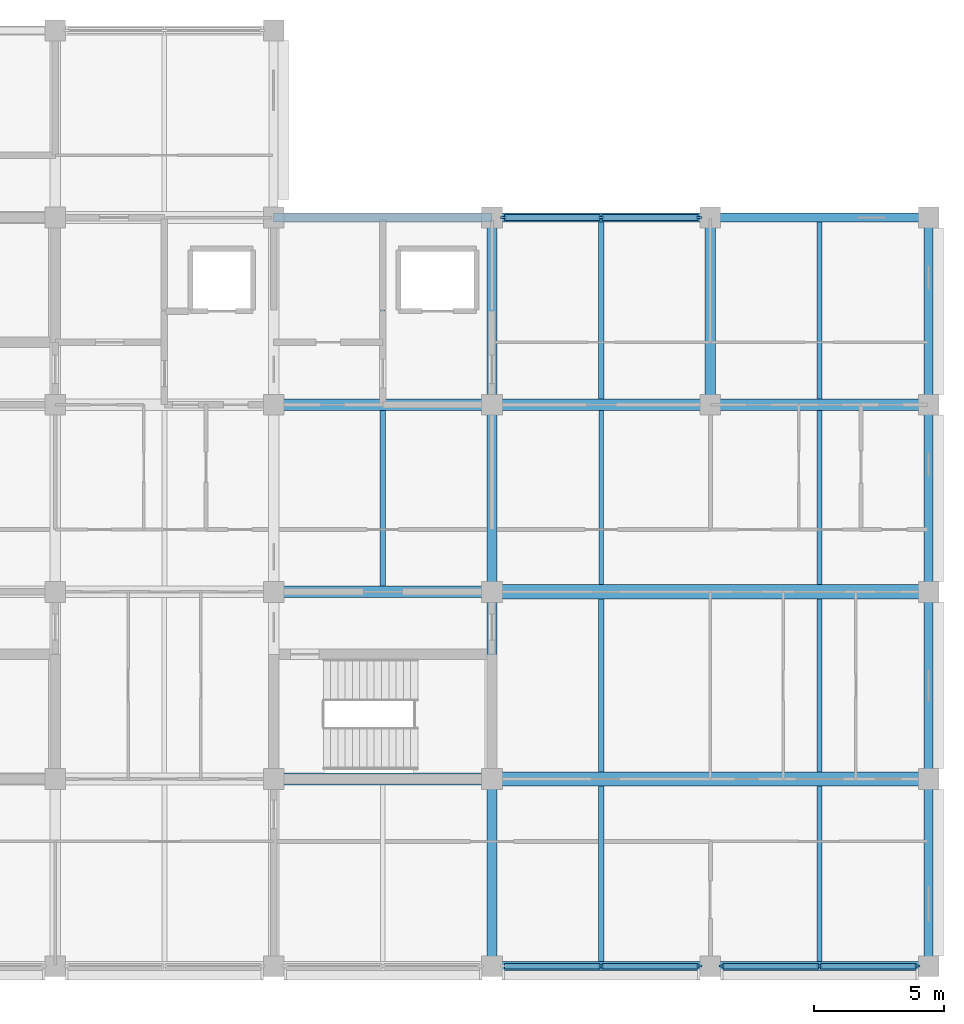
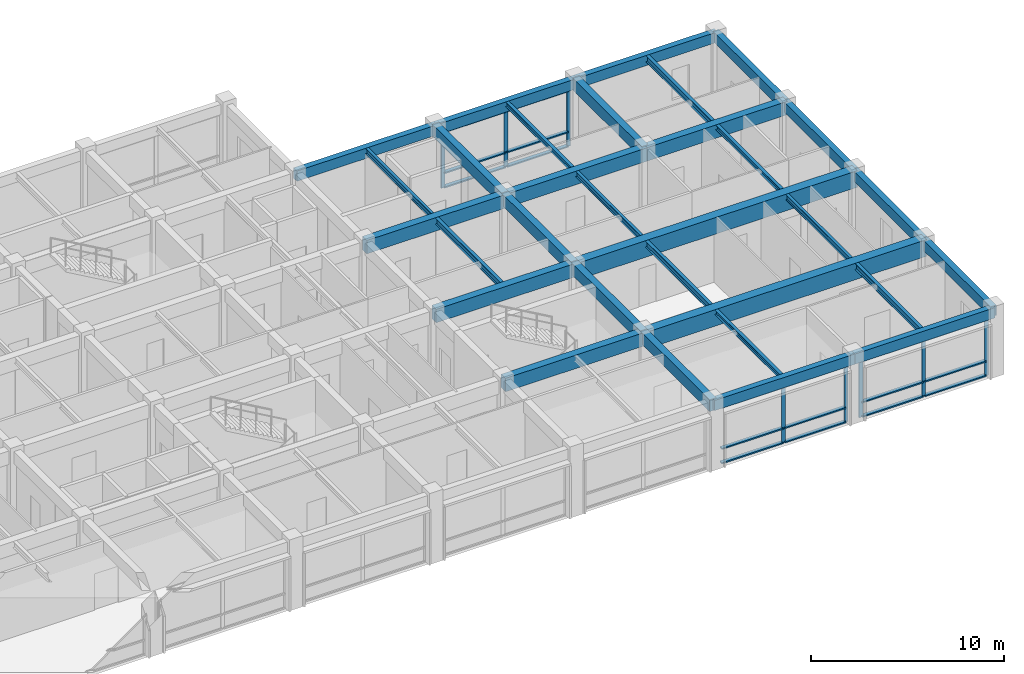
# One storey, part 8 of 30: 31 beams, 26 members, 3 elements without a shape of their own.
"""IFC4 building model written with IfcOpenShell, lengths in metres."""

from ifc_helpers import new_model, si_unit, direction, frame, origin, origin_2d, place, context, subcontext, project, spatial, rectangle, i_section, extrude, material, layer, layer_set, material_profile, profile_set, type_object, element, aggregate, save


model = new_model("IFC4")

# Units and contexts
model_context = context("Model", 3, precision=1e-05, world=origin(), true_north=direction((0.0, 1.0)))
body_context = subcontext(model_context, "Body", "Model", "MODEL_VIEW")
ifc_project = project(units=[si_unit("LENGTHUNIT", "METRE"), si_unit("AREAUNIT", "SQUARE_METRE"), si_unit("VOLUMEUNIT", "CUBIC_METRE"), si_unit("PLANEANGLEUNIT", "RADIAN"), si_unit("MASSUNIT", "GRAM", prefix="KILO")], contexts=[model_context])

# Site, building, storey
site_placement = place(None, origin())
site = spatial("IfcSite", under=ifc_project, at=site_placement, CompositionType="ELEMENT")
building_placement = place(site_placement, origin())
building = spatial("IfcBuilding", under=site, at=building_placement, Name="Chengyuan Square Courthouse", CompositionType="ELEMENT")
storey_placement = place(building_placement, frame((0.0, 0.0, 26.10009765625)))
storey = spatial("IfcBuildingStorey", under=building, at=storey_placement, Name="L06", CompositionType="ELEMENT", Elevation=26.10009765625)

# Beams
ifc_material_1 = material(Name="Concrete C40", Category="concrete")
ifc_material_profile_1 = material_profile(ifc_material_1, rectangle(XDim=0.449951171875, YDim=0.85009765625, at=origin_2d()), Name="RC-BM-450x850")
ifc_profile_set_1 = profile_set([ifc_material_profile_1], Name="Concrete C40")
beam_type_1 = type_object("IfcBeamType", Name="BM-01", PredefinedType="USERDEFINED", material=ifc_profile_set_1)
for number, where, z_axis, x_axis, name in (
    (1, (117.60009765625, 86.39990234375, 3.81494140625), (1.0, 0.0, 0.0), (0.0, 1.0, 0.0), "Girder BM-L06-3410"),
    (2, (117.60009765625, 93.60009765625, 3.81494140625), (1.0, 0.0, 0.0), (0.0, 1.0, 0.0), "Girder BM-L06-3422"),
    (3, (117.60009765625, 100.800048828125, 3.81494140625), (1.0, 0.0, 0.0), (0.0, 1.0, 0.0), "Girder BM-L06-3435"),
    (4, (126.0, 100.800048828125, 3.81494140625), (1.0, 0.0, 0.0), (0.0, 1.0, 0.0), "Girder BM-L06-3436"),
):
    element("IfcBeam", number, at=place(storey_placement, frame(where, z_axis=z_axis, x_axis=x_axis)), inside=storey, type_object=beam_type_1, Name=name, ObjectType="GIRDER", PredefinedType="USERDEFINED", context=body_context, shape_type="SweptSolid", body=[
        extrude(rectangle(XDim=0.449951171875, YDim=0.85009765625, at=origin_2d()), origin(), (0.0, 0.0, 1.0), 8.39990234375),
    ])
beam_1_placement = place(storey_placement, frame((134.39990234375, 100.800048828125, 3.81494140625), z_axis=(1.0, 0.0, 0.0), x_axis=(0.0, 1.0, 0.0)))
element("IfcBeam", 5, at=beam_1_placement, inside=storey, type_object=beam_type_1, Name="Girder BM-L06-3437", ObjectType="GIRDER", PredefinedType="USERDEFINED", context=body_context, shape_type="SweptSolid", body=[
    extrude(rectangle(XDim=0.449951171875, YDim=0.85009765625, at=origin_2d()), origin(), (0.0, 0.0, 1.0), 8.400146484375),
])
ifc_material_profile_2 = material_profile(ifc_material_1, rectangle(XDim=0.39990234375, YDim=0.75, at=origin_2d()), Name="RC-BM-400x750")
ifc_profile_set_2 = profile_set([ifc_material_profile_2], Name="Concrete C40")
beam_type_2 = type_object("IfcBeamType", Name="BM-02", PredefinedType="USERDEFINED", material=ifc_profile_set_2)
beam_2_placement = place(storey_placement, frame((126.0, 79.199951171875, 3.864990234375), z_axis=(0.0, 1.0, 0.0), x_axis=(-1.0, 0.0, 0.0)))
element("IfcBeam", 6, at=beam_2_placement, inside=storey, type_object=beam_type_2, Name="Girder BM-L06-3514", ObjectType="GIRDER", PredefinedType="USERDEFINED", context=body_context, shape_type="SweptSolid", body=[
    extrude(rectangle(XDim=0.39990234375, YDim=0.75, at=origin_2d()), origin(), (0.0, 0.0, 1.0), 7.199951171875),
])
beam_3_placement = place(storey_placement, frame((126.0, 86.39990234375, 3.864990234375), z_axis=(0.0, 1.0, 0.0), x_axis=(-1.0, 0.0, 0.0)))
element("IfcBeam", 7, at=beam_3_placement, inside=storey, type_object=beam_type_2, Name="Girder BM-L06-3515", ObjectType="GIRDER", PredefinedType="USERDEFINED", context=body_context, shape_type="SweptSolid", body=[
    extrude(rectangle(XDim=0.39990234375, YDim=0.75, at=origin_2d()), origin(), (0.0, 0.0, 1.0), 7.2001953125),
])
for number, where, z_axis, x_axis, name in (
    (8, (126.0, 93.60009765625, 3.864990234375), (0.0, 1.0, 0.0), (-1.0, 0.0, 0.0), "Girder BM-L06-3516"),
    (9, (126.0, 100.800048828125, 3.864990234375), (0.0, 1.0, 0.0), (-1.0, 0.0, 0.0), "Girder BM-L06-3517"),
    (10, (134.39990234375, 100.800048828125, 3.864990234375), (0.0, 1.0, 0.0), (-1.0, 0.0, 0.0), "Girder BM-L06-3518"),
):
    element("IfcBeam", number, at=place(storey_placement, frame(where, z_axis=z_axis, x_axis=x_axis)), inside=storey, type_object=beam_type_2, Name=name, ObjectType="GIRDER", PredefinedType="USERDEFINED", context=body_context, shape_type="SweptSolid", body=[
        extrude(rectangle(XDim=0.39990234375, YDim=0.75, at=origin_2d()), origin(), (0.0, 0.0, 1.0), 7.199951171875),
    ])
ifc_material_profile_3 = material_profile(ifc_material_1, rectangle(XDim=0.35009765625, YDim=0.64990234375, at=origin_2d()), Name="RC-BM-350x650")
ifc_profile_set_3 = profile_set([ifc_material_profile_3], Name="Concrete C40")
beam_type_3 = type_object("IfcBeamType", Name="BM-03", PredefinedType="SPANDREL", material=ifc_profile_set_3)
beam_4_placement = place(storey_placement, frame((126.0, 79.199951171875, 3.914794921875), z_axis=(1.0, 0.0, 0.0), x_axis=(0.0, 1.0, 0.0)))
element("IfcBeam", 11, at=beam_4_placement, inside=storey, type_object=beam_type_3, Name="Girder BM-L06-3398", PredefinedType="SPANDREL", context=body_context, shape_type="SweptSolid", body=[
    extrude(rectangle(XDim=0.35009765625, YDim=0.64990234375, at=origin_2d()), origin(), (0.0, 0.0, 1.0), 8.39990234375),
])
beam_5_placement = place(storey_placement, frame((134.39990234375, 79.199951171875, 3.914794921875), z_axis=(1.0, 0.0, 0.0), x_axis=(0.0, 1.0, 0.0)))
element("IfcBeam", 12, at=beam_5_placement, inside=storey, type_object=beam_type_3, Name="Girder BM-L06-3399", PredefinedType="SPANDREL", context=body_context, shape_type="SweptSolid", body=[
    extrude(rectangle(XDim=0.35009765625, YDim=0.64990234375, at=origin_2d()), origin(), (0.0, 0.0, 1.0), 8.400146484375),
])
for number, where, z_axis, x_axis, name in (
    (13, (117.60009765625, 108.0, 3.914794921875), (1.0, 0.0, 0.0), (0.0, 1.0, 0.0), "Girder BM-L06-3449"),
    (14, (126.0, 108.0, 3.914794921875), (1.0, 0.0, 0.0), (0.0, 1.0, 0.0), "Girder BM-L06-3450"),
):
    element("IfcBeam", number, at=place(storey_placement, frame(where, z_axis=z_axis, x_axis=x_axis)), inside=storey, type_object=beam_type_3, Name=name, PredefinedType="SPANDREL", context=body_context, shape_type="SweptSolid", body=[
        extrude(rectangle(XDim=0.35009765625, YDim=0.64990234375, at=origin_2d()), origin(), (0.0, 0.0, 1.0), 8.39990234375),
    ])
beam_6_placement = place(storey_placement, frame((134.39990234375, 108.0, 3.914794921875), z_axis=(1.0, 0.0, 0.0), x_axis=(0.0, 1.0, 0.0)))
element("IfcBeam", 15, at=beam_6_placement, inside=storey, type_object=beam_type_3, Name="Girder BM-L06-3451", PredefinedType="SPANDREL", context=body_context, shape_type="SweptSolid", body=[
    extrude(rectangle(XDim=0.35009765625, YDim=0.64990234375, at=origin_2d()), origin(), (0.0, 0.0, 1.0), 8.400146484375),
])
beam_7_placement = place(storey_placement, frame((142.800048828125, 79.199951171875, 3.914794921875), z_axis=(0.0, 1.0, 0.0), x_axis=(-1.0, 0.0, 0.0)))
element("IfcBeam", 16, at=beam_7_placement, inside=storey, type_object=beam_type_3, Name="Girder BM-L06-3519", PredefinedType="SPANDREL", context=body_context, shape_type="SweptSolid", body=[
    extrude(rectangle(XDim=0.35009765625, YDim=0.64990234375, at=origin_2d()), origin(), (0.0, 0.0, 1.0), 7.199951171875),
])
beam_8_placement = place(storey_placement, frame((142.800048828125, 86.39990234375, 3.914794921875), z_axis=(0.0, 1.0, 0.0), x_axis=(-1.0, 0.0, 0.0)))
element("IfcBeam", 17, at=beam_8_placement, inside=storey, type_object=beam_type_3, Name="Girder BM-L06-3520", PredefinedType="SPANDREL", context=body_context, shape_type="SweptSolid", body=[
    extrude(rectangle(XDim=0.35009765625, YDim=0.64990234375, at=origin_2d()), origin(), (0.0, 0.0, 1.0), 7.2001953125),
])
for number, where, z_axis, x_axis, name in (
    (18, (142.800048828125, 93.60009765625, 3.914794921875), (0.0, 1.0, 0.0), (-1.0, 0.0, 0.0), "Girder BM-L06-3521"),
    (19, (142.800048828125, 100.800048828125, 3.914794921875), (0.0, 1.0, 0.0), (-1.0, 0.0, 0.0), "Girder BM-L06-3522"),
):
    element("IfcBeam", number, at=place(storey_placement, frame(where, z_axis=z_axis, x_axis=x_axis)), inside=storey, type_object=beam_type_3, Name=name, PredefinedType="SPANDREL", context=body_context, shape_type="SweptSolid", body=[
        extrude(rectangle(XDim=0.35009765625, YDim=0.64990234375, at=origin_2d()), origin(), (0.0, 0.0, 1.0), 7.199951171875),
    ])
ifc_material_2 = material(Name="Steel Q355B", Category="steel")
ifc_material_profile_4 = material_profile(ifc_material_2, i_section(OverallWidth=0.199951171875, OverallDepth=0.39990234375, WebThickness=0.008056640625, FlangeThickness=0.012939453125, at=origin_2d()), Name="HN 400x200x8x13")
ifc_profile_set_4 = profile_set([ifc_material_profile_4], Name="Steel Q355B")
beam_type_4 = type_object("IfcBeamType", Name="BM-07", PredefinedType="BEAM", material=ifc_profile_set_4)
beam_9_placement = place(storey_placement, frame((121.800048828125, 93.824951171875, 4.039794921875), z_axis=(0.0, 1.0, 0.0), x_axis=(-1.0, 0.0, 0.0)))
element("IfcBeam", 20, at=beam_9_placement, inside=storey, type_object=beam_type_4, Name="Secondary Floor Beam SBM-L06-3567", PredefinedType="BEAM", context=body_context, shape_type="SweptSolid", body=[
    extrude(i_section(OverallWidth=0.199951171875, OverallDepth=0.39990234375, WebThickness=0.008056640625, FlangeThickness=0.012939453125, at=origin_2d()), origin(), (0.0, 0.0, 1.0), 6.75),
])
beam_10_placement = place(storey_placement, frame((130.199951171875, 86.675048828125, 4.039794921875), z_axis=(0.0, 1.0, 0.0), x_axis=(-1.0, 0.0, 0.0)))
element("IfcBeam", 21, at=beam_10_placement, inside=storey, type_object=beam_type_4, Name="Secondary Floor Beam SBM-L06-3570", PredefinedType="BEAM", context=body_context, shape_type="SweptSolid", body=[
    extrude(i_section(OverallWidth=0.199951171875, OverallDepth=0.39990234375, WebThickness=0.008056640625, FlangeThickness=0.012939453125, at=origin_2d()), origin(), (0.0, 0.0, 1.0), 6.64990234375),
])
beam_11_placement = place(storey_placement, frame((138.60009765625, 79.375, 4.039794921875), z_axis=(0.0, 1.0, 0.0), x_axis=(-1.0, 0.0, 0.0)))
element("IfcBeam", 22, at=beam_11_placement, inside=storey, type_object=beam_type_4, Name="Secondary Floor Beam SBM-L06-3573", PredefinedType="BEAM", context=body_context, shape_type="SweptSolid", body=[
    extrude(i_section(OverallWidth=0.199951171875, OverallDepth=0.39990234375, WebThickness=0.008056640625, FlangeThickness=0.012939453125, at=origin_2d()), origin(), (0.0, 0.0, 1.0), 6.75),
])
beam_12_placement = place(storey_placement, frame((138.60009765625, 101.02490234375, 4.039794921875), z_axis=(0.0, 1.0, 0.0), x_axis=(-1.0, 0.0, 0.0)))
element("IfcBeam", 23, at=beam_12_placement, inside=storey, type_object=beam_type_4, Name="Secondary Floor Beam SBM-L06-3576", PredefinedType="BEAM", context=body_context, shape_type="SweptSolid", body=[
    extrude(i_section(OverallWidth=0.199951171875, OverallDepth=0.39990234375, WebThickness=0.008056640625, FlangeThickness=0.012939453125, at=origin_2d()), origin(), (0.0, 0.0, 1.0), 6.800048828125),
])
ifc_material_profile_5 = material_profile(ifc_material_2, i_section(OverallWidth=0.175048828125, OverallDepth=0.35009765625, WebThickness=0.007080078125, FlangeThickness=0.010986328125, at=origin_2d()), Name="HN 350x175x7x11")
ifc_profile_set_5 = profile_set([ifc_material_profile_5], Name="Steel Q355B")
beam_type_5 = type_object("IfcBeamType", Name="BM-08", PredefinedType="BEAM", material=ifc_profile_set_5)
beam_13_placement = place(storey_placement, frame((121.800048828125, 101.02490234375, 4.06494140625), z_axis=(0.0, 1.0, 0.0), x_axis=(-1.0, 0.0, 0.0)))
element("IfcBeam", 24, at=beam_13_placement, inside=storey, type_object=beam_type_5, Name="Secondary Floor Beam SBM-L06-3568", PredefinedType="BEAM", context=body_context, shape_type="SweptSolid", body=[
    extrude(i_section(OverallWidth=0.175048828125, OverallDepth=0.35009765625, WebThickness=0.007080078125, FlangeThickness=0.010986328125, at=origin_2d()), origin(), (0.0, 0.0, 1.0), 6.800048828125),
])
beam_14_placement = place(storey_placement, frame((130.199951171875, 93.875, 4.06494140625), z_axis=(0.0, 1.0, 0.0), x_axis=(-1.0, 0.0, 0.0)))
element("IfcBeam", 25, at=beam_14_placement, inside=storey, type_object=beam_type_5, Name="Secondary Floor Beam SBM-L06-3571", PredefinedType="BEAM", context=body_context, shape_type="SweptSolid", body=[
    extrude(i_section(OverallWidth=0.175048828125, OverallDepth=0.35009765625, WebThickness=0.007080078125, FlangeThickness=0.010986328125, at=origin_2d()), origin(), (0.0, 0.0, 1.0), 6.699951171875),
])
beam_15_placement = place(storey_placement, frame((138.60009765625, 86.675048828125, 4.06494140625), z_axis=(0.0, 1.0, 0.0), x_axis=(-1.0, 0.0, 0.0)))
element("IfcBeam", 26, at=beam_15_placement, inside=storey, type_object=beam_type_5, Name="Secondary Floor Beam SBM-L06-3574", PredefinedType="BEAM", context=body_context, shape_type="SweptSolid", body=[
    extrude(i_section(OverallWidth=0.175048828125, OverallDepth=0.35009765625, WebThickness=0.007080078125, FlangeThickness=0.010986328125, at=origin_2d()), origin(), (0.0, 0.0, 1.0), 6.64990234375),
])
ifc_material_profile_6 = material_profile(ifc_material_2, i_section(OverallWidth=0.199951171875, OverallDepth=0.300048828125, WebThickness=0.008056640625, FlangeThickness=0.011962890625, at=origin_2d()), Name="HM 300x200x8x12")
ifc_profile_set_6 = profile_set([ifc_material_profile_6], Name="Steel Q355B")
beam_type_6 = type_object("IfcBeamType", Name="BM-09", PredefinedType="BEAM", material=ifc_profile_set_6)
beam_16_placement = place(storey_placement, frame((130.199951171875, 79.375, 4.08984375), z_axis=(0.0, 1.0, 0.0), x_axis=(-1.0, 0.0, 0.0)))
element("IfcBeam", 27, at=beam_16_placement, inside=storey, type_object=beam_type_6, Name="Secondary Floor Beam SBM-L06-3569", PredefinedType="BEAM", context=body_context, shape_type="SweptSolid", body=[
    extrude(i_section(OverallWidth=0.199951171875, OverallDepth=0.300048828125, WebThickness=0.008056640625, FlangeThickness=0.011962890625, at=origin_2d()), origin(), (0.0, 0.0, 1.0), 6.75),
])
beam_17_placement = place(storey_placement, frame((130.199951171875, 101.02490234375, 4.08984375), z_axis=(0.0, 1.0, 0.0), x_axis=(-1.0, 0.0, 0.0)))
element("IfcBeam", 28, at=beam_17_placement, inside=storey, type_object=beam_type_6, Name="Secondary Floor Beam SBM-L06-3572", PredefinedType="BEAM", context=body_context, shape_type="SweptSolid", body=[
    extrude(i_section(OverallWidth=0.199951171875, OverallDepth=0.300048828125, WebThickness=0.008056640625, FlangeThickness=0.011962890625, at=origin_2d()), origin(), (0.0, 0.0, 1.0), 6.800048828125),
])
beam_18_placement = place(storey_placement, frame((138.60009765625, 93.875, 4.08984375), z_axis=(0.0, 1.0, 0.0), x_axis=(-1.0, 0.0, 0.0)))
element("IfcBeam", 29, at=beam_18_placement, inside=storey, type_object=beam_type_6, Name="Secondary Floor Beam SBM-L06-3575", PredefinedType="BEAM", context=body_context, shape_type="SweptSolid", body=[
    extrude(i_section(OverallWidth=0.199951171875, OverallDepth=0.300048828125, WebThickness=0.008056640625, FlangeThickness=0.011962890625, at=origin_2d()), origin(), (0.0, 0.0, 1.0), 6.699951171875),
])

# Curtain wall, members
ifc_material_3 = material(Name="Unitised Aluminium and Triple Low-E Glass", Category="aluminium")
ifc_layer = layer(ifc_material_3, 0.219970703125)
ifc_layer_set = layer_set([ifc_layer], Name="Unitised Aluminium and Triple Low-E Glass")
curtain_wall_type = type_object("IfcCurtainWallType", Name="CW-16", PredefinedType="USERDEFINED", material=ifc_layer_set)
curtain_wall_1_placement = place(storey_placement, origin())
curtain_wall_1 = element("IfcCurtainWall", 30, at=curtain_wall_1_placement, inside=storey, type_object=curtain_wall_type, Name="Unitised Curtain Wall CW-L06-198", ObjectType="UNITISED CURTAIN WALL", PredefinedType="USERDEFINED")
ifc_material_4 = material(Name="Aluminium 6063-T6 Frame", Category="aluminium")
ifc_material_profile_7 = material_profile(ifc_material_4, rectangle(XDim=0.080078125, YDim=0.219970703125, at=origin_2d()), Name="CW-MUL-80x220")
ifc_profile_set_7 = profile_set([ifc_material_profile_7], Name="Aluminium 6063-T6 Frame")
member_type_1 = type_object("IfcMemberType", Name="CWM-04", PredefinedType="MULLION", material=ifc_profile_set_7)
member_1_placement = place(storey_placement, frame((130.199951171875, 79.199951171875, 0.0), z_axis=(0.0, 0.0, 1.0), x_axis=(0.0, 1.0, 0.0)))
member_1 = element("IfcMember", 31, at=member_1_placement, type_object=member_type_1, Name="CW-16 mullion 2", PredefinedType="MULLION", context=body_context, shape_type="SweptSolid", body=[
    extrude(rectangle(XDim=0.080078125, YDim=0.219970703125, at=origin_2d()), origin(), (0.0, 0.0, 1.0), 3.58984375),
])
member_2_placement = place(storey_placement, frame((133.9599609375, 79.199951171875, 0.0), z_axis=(0.0, 0.0, 1.0), x_axis=(0.0, 1.0, 0.0)))
member_2 = element("IfcMember", 32, at=member_2_placement, type_object=member_type_1, Name="CW-16 mullion 3", PredefinedType="MULLION", context=body_context, shape_type="SweptSolid", body=[
    extrude(rectangle(XDim=0.080078125, YDim=0.219970703125, at=origin_2d()), origin(), (0.0, 0.0, 1.0), 3.58984375),
])

curtain_wall_2_placement = place(storey_placement, origin())
curtain_wall_2 = element("IfcCurtainWall", 33, at=curtain_wall_2_placement, inside=storey, type_object=curtain_wall_type, Name="Unitised Curtain Wall CW-L06-199", ObjectType="UNITISED CURTAIN WALL", PredefinedType="USERDEFINED")
member_3_placement = place(storey_placement, frame((126.43994140625, 108.0, 0.0), z_axis=(0.0, 0.0, 1.0), x_axis=(0.0, 1.0, 0.0)))
member_3 = element("IfcMember", 34, at=member_3_placement, type_object=member_type_1, Name="CW-16 mullion 1", PredefinedType="MULLION", context=body_context, shape_type="SweptSolid", body=[
    extrude(rectangle(XDim=0.080078125, YDim=0.219970703125, at=origin_2d()), origin(), (0.0, 0.0, 1.0), 3.58984375),
])
member_4_placement = place(storey_placement, frame((130.199951171875, 108.0, 0.0), z_axis=(0.0, 0.0, 1.0), x_axis=(0.0, 1.0, 0.0)))
member_4 = element("IfcMember", 35, at=member_4_placement, type_object=member_type_1, Name="CW-16 mullion 2", PredefinedType="MULLION", context=body_context, shape_type="SweptSolid", body=[
    extrude(rectangle(XDim=0.080078125, YDim=0.219970703125, at=origin_2d()), origin(), (0.0, 0.0, 1.0), 3.58984375),
])
member_5_placement = place(storey_placement, frame((133.9599609375, 108.0, 0.0), z_axis=(0.0, 0.0, 1.0), x_axis=(0.0, 1.0, 0.0)))
member_5 = element("IfcMember", 36, at=member_5_placement, type_object=member_type_1, Name="CW-16 mullion 3", PredefinedType="MULLION", context=body_context, shape_type="SweptSolid", body=[
    extrude(rectangle(XDim=0.080078125, YDim=0.219970703125, at=origin_2d()), origin(), (0.0, 0.0, 1.0), 3.58984375),
])

curtain_wall_3_placement = place(storey_placement, origin())
curtain_wall_3 = element("IfcCurtainWall", 37, at=curtain_wall_3_placement, inside=storey, type_object=curtain_wall_type, Name="Unitised Curtain Wall CW-L06-200", ObjectType="UNITISED CURTAIN WALL", PredefinedType="USERDEFINED")
member_6_placement = place(storey_placement, frame((134.840087890625, 79.199951171875, 0.0), z_axis=(0.0, 0.0, 1.0), x_axis=(0.0, 1.0, 0.0)))
member_6 = element("IfcMember", 38, at=member_6_placement, type_object=member_type_1, Name="CW-16 mullion 1", PredefinedType="MULLION", context=body_context, shape_type="SweptSolid", body=[
    extrude(rectangle(XDim=0.080078125, YDim=0.219970703125, at=origin_2d()), origin(), (0.0, 0.0, 1.0), 3.58984375),
])
member_7_placement = place(storey_placement, frame((138.60009765625, 79.199951171875, 0.0), z_axis=(0.0, 0.0, 1.0), x_axis=(0.0, 1.0, 0.0)))
member_7 = element("IfcMember", 39, at=member_7_placement, type_object=member_type_1, Name="CW-16 mullion 2", PredefinedType="MULLION", context=body_context, shape_type="SweptSolid", body=[
    extrude(rectangle(XDim=0.080078125, YDim=0.219970703125, at=origin_2d()), origin(), (0.0, 0.0, 1.0), 3.58984375),
])
member_8_placement = place(storey_placement, frame((142.360107421875, 79.199951171875, 0.0), z_axis=(0.0, 0.0, 1.0), x_axis=(0.0, 1.0, 0.0)))
member_8 = element("IfcMember", 40, at=member_8_placement, type_object=member_type_1, Name="CW-16 mullion 3", PredefinedType="MULLION", context=body_context, shape_type="SweptSolid", body=[
    extrude(rectangle(XDim=0.080078125, YDim=0.219970703125, at=origin_2d()), origin(), (0.0, 0.0, 1.0), 3.58984375),
])

# Member
ifc_material_profile_8 = material_profile(ifc_material_4, rectangle(XDim=0.219970703125, YDim=0.080078125, at=origin_2d()), Name="CW-TRN-80x180")
ifc_profile_set_8 = profile_set([ifc_material_profile_8], Name="Aluminium 6063-T6 Frame")
member_type_2 = type_object("IfcMemberType", Name="CWT-04", PredefinedType="USERDEFINED", material=ifc_profile_set_8)
member_9_placement = place(storey_placement, frame((126.47998046875, 79.199951171875, 0.039794921875), z_axis=(1.0, 0.0, 0.0), x_axis=(0.0, 1.0, 0.0)))
member_9 = element("IfcMember", 41, at=member_9_placement, type_object=member_type_2, Name="CW-16 transom 1.1", ObjectType="TRANSOM", PredefinedType="USERDEFINED", context=body_context, shape_type="SweptSolid", body=[
    extrude(rectangle(XDim=0.219970703125, YDim=0.080078125, at=origin_2d()), origin(), (0.0, 0.0, 1.0), 3.679931640625),
])

member_10_placement = place(storey_placement, frame((126.47998046875, 79.199951171875, 0.949951171875), z_axis=(1.0, 0.0, 0.0), x_axis=(0.0, 1.0, 0.0)))
member_10 = element("IfcMember", 42, at=member_10_placement, type_object=member_type_2, Name="CW-16 transom 1.2", ObjectType="TRANSOM", PredefinedType="USERDEFINED", context=body_context, shape_type="SweptSolid", body=[
    extrude(rectangle(XDim=0.219970703125, YDim=0.080078125, at=origin_2d()), origin(), (0.0, 0.0, 1.0), 3.679931640625),
])

member_11_placement = place(storey_placement, frame((126.47998046875, 79.199951171875, 3.5498046875), z_axis=(1.0, 0.0, 0.0), x_axis=(0.0, 1.0, 0.0)))
member_11 = element("IfcMember", 43, at=member_11_placement, type_object=member_type_2, Name="CW-16 transom 1.3", ObjectType="TRANSOM", PredefinedType="USERDEFINED", context=body_context, shape_type="SweptSolid", body=[
    extrude(rectangle(XDim=0.219970703125, YDim=0.080078125, at=origin_2d()), origin(), (0.0, 0.0, 1.0), 3.679931640625),
])

member_12_placement = place(storey_placement, frame((130.239990234375, 79.199951171875, 0.039794921875), z_axis=(1.0, 0.0, 0.0), x_axis=(0.0, 1.0, 0.0)))
member_12 = element("IfcMember", 44, at=member_12_placement, type_object=member_type_2, Name="CW-16 transom 2.1", ObjectType="TRANSOM", PredefinedType="USERDEFINED", context=body_context, shape_type="SweptSolid", body=[
    extrude(rectangle(XDim=0.219970703125, YDim=0.080078125, at=origin_2d()), origin(), (0.0, 0.0, 1.0), 3.679931640625),
])

member_13_placement = place(storey_placement, frame((130.239990234375, 79.199951171875, 0.949951171875), z_axis=(1.0, 0.0, 0.0), x_axis=(0.0, 1.0, 0.0)))
member_13 = element("IfcMember", 45, at=member_13_placement, type_object=member_type_2, Name="CW-16 transom 2.2", ObjectType="TRANSOM", PredefinedType="USERDEFINED", context=body_context, shape_type="SweptSolid", body=[
    extrude(rectangle(XDim=0.219970703125, YDim=0.080078125, at=origin_2d()), origin(), (0.0, 0.0, 1.0), 3.679931640625),
])

member_14_placement = place(storey_placement, frame((130.239990234375, 79.199951171875, 3.5498046875), z_axis=(1.0, 0.0, 0.0), x_axis=(0.0, 1.0, 0.0)))
member_14 = element("IfcMember", 46, at=member_14_placement, type_object=member_type_2, Name="CW-16 transom 2.3", ObjectType="TRANSOM", PredefinedType="USERDEFINED", context=body_context, shape_type="SweptSolid", body=[
    extrude(rectangle(XDim=0.219970703125, YDim=0.080078125, at=origin_2d()), origin(), (0.0, 0.0, 1.0), 3.679931640625),
])

aggregate(curtain_wall_1, [member_1, member_2, member_9, member_10, member_11, member_12, member_13, member_14])

member_15_placement = place(storey_placement, frame((126.47998046875, 108.0, 0.039794921875), z_axis=(1.0, 0.0, 0.0), x_axis=(0.0, 1.0, 0.0)))
member_15 = element("IfcMember", 47, at=member_15_placement, type_object=member_type_2, Name="CW-16 transom 1.1", ObjectType="TRANSOM", PredefinedType="USERDEFINED", context=body_context, shape_type="SweptSolid", body=[
    extrude(rectangle(XDim=0.219970703125, YDim=0.080078125, at=origin_2d()), origin(), (0.0, 0.0, 1.0), 3.679931640625),
])

member_16_placement = place(storey_placement, frame((126.47998046875, 108.0, 0.949951171875), z_axis=(1.0, 0.0, 0.0), x_axis=(0.0, 1.0, 0.0)))
member_16 = element("IfcMember", 48, at=member_16_placement, type_object=member_type_2, Name="CW-16 transom 1.2", ObjectType="TRANSOM", PredefinedType="USERDEFINED", context=body_context, shape_type="SweptSolid", body=[
    extrude(rectangle(XDim=0.219970703125, YDim=0.080078125, at=origin_2d()), origin(), (0.0, 0.0, 1.0), 3.679931640625),
])

member_17_placement = place(storey_placement, frame((126.47998046875, 108.0, 3.5498046875), z_axis=(1.0, 0.0, 0.0), x_axis=(0.0, 1.0, 0.0)))
member_17 = element("IfcMember", 49, at=member_17_placement, type_object=member_type_2, Name="CW-16 transom 1.3", ObjectType="TRANSOM", PredefinedType="USERDEFINED", context=body_context, shape_type="SweptSolid", body=[
    extrude(rectangle(XDim=0.219970703125, YDim=0.080078125, at=origin_2d()), origin(), (0.0, 0.0, 1.0), 3.679931640625),
])

member_18_placement = place(storey_placement, frame((130.239990234375, 108.0, 0.039794921875), z_axis=(1.0, 0.0, 0.0), x_axis=(0.0, 1.0, 0.0)))
member_18 = element("IfcMember", 50, at=member_18_placement, type_object=member_type_2, Name="CW-16 transom 2.1", ObjectType="TRANSOM", PredefinedType="USERDEFINED", context=body_context, shape_type="SweptSolid", body=[
    extrude(rectangle(XDim=0.219970703125, YDim=0.080078125, at=origin_2d()), origin(), (0.0, 0.0, 1.0), 3.679931640625),
])

member_19_placement = place(storey_placement, frame((130.239990234375, 108.0, 0.949951171875), z_axis=(1.0, 0.0, 0.0), x_axis=(0.0, 1.0, 0.0)))
member_19 = element("IfcMember", 51, at=member_19_placement, type_object=member_type_2, Name="CW-16 transom 2.2", ObjectType="TRANSOM", PredefinedType="USERDEFINED", context=body_context, shape_type="SweptSolid", body=[
    extrude(rectangle(XDim=0.219970703125, YDim=0.080078125, at=origin_2d()), origin(), (0.0, 0.0, 1.0), 3.679931640625),
])

member_20_placement = place(storey_placement, frame((130.239990234375, 108.0, 3.5498046875), z_axis=(1.0, 0.0, 0.0), x_axis=(0.0, 1.0, 0.0)))
member_20 = element("IfcMember", 52, at=member_20_placement, type_object=member_type_2, Name="CW-16 transom 2.3", ObjectType="TRANSOM", PredefinedType="USERDEFINED", context=body_context, shape_type="SweptSolid", body=[
    extrude(rectangle(XDim=0.219970703125, YDim=0.080078125, at=origin_2d()), origin(), (0.0, 0.0, 1.0), 3.679931640625),
])

aggregate(curtain_wall_2, [member_3, member_4, member_5, member_15, member_16, member_17, member_18, member_19, member_20])

member_21_placement = place(storey_placement, frame((134.8798828125, 79.199951171875, 0.039794921875), z_axis=(1.0, 0.0, 0.0), x_axis=(0.0, 1.0, 0.0)))
member_21 = element("IfcMember", 53, at=member_21_placement, type_object=member_type_2, Name="CW-16 transom 1.1", ObjectType="TRANSOM", PredefinedType="USERDEFINED", context=body_context, shape_type="SweptSolid", body=[
    extrude(rectangle(XDim=0.219970703125, YDim=0.080078125, at=origin_2d()), origin(), (0.0, 0.0, 1.0), 3.68017578125),
])

member_22_placement = place(storey_placement, frame((134.8798828125, 79.199951171875, 0.949951171875), z_axis=(1.0, 0.0, 0.0), x_axis=(0.0, 1.0, 0.0)))
member_22 = element("IfcMember", 54, at=member_22_placement, type_object=member_type_2, Name="CW-16 transom 1.2", ObjectType="TRANSOM", PredefinedType="USERDEFINED", context=body_context, shape_type="SweptSolid", body=[
    extrude(rectangle(XDim=0.219970703125, YDim=0.080078125, at=origin_2d()), origin(), (0.0, 0.0, 1.0), 3.68017578125),
])

member_23_placement = place(storey_placement, frame((134.8798828125, 79.199951171875, 3.5498046875), z_axis=(1.0, 0.0, 0.0), x_axis=(0.0, 1.0, 0.0)))
member_23 = element("IfcMember", 55, at=member_23_placement, type_object=member_type_2, Name="CW-16 transom 1.3", ObjectType="TRANSOM", PredefinedType="USERDEFINED", context=body_context, shape_type="SweptSolid", body=[
    extrude(rectangle(XDim=0.219970703125, YDim=0.080078125, at=origin_2d()), origin(), (0.0, 0.0, 1.0), 3.68017578125),
])

member_24_placement = place(storey_placement, frame((138.639892578125, 79.199951171875, 0.039794921875), z_axis=(1.0, 0.0, 0.0), x_axis=(0.0, 1.0, 0.0)))
member_24 = element("IfcMember", 56, at=member_24_placement, type_object=member_type_2, Name="CW-16 transom 2.1", ObjectType="TRANSOM", PredefinedType="USERDEFINED", context=body_context, shape_type="SweptSolid", body=[
    extrude(rectangle(XDim=0.219970703125, YDim=0.080078125, at=origin_2d()), origin(), (0.0, 0.0, 1.0), 3.68017578125),
])

member_25_placement = place(storey_placement, frame((138.639892578125, 79.199951171875, 0.949951171875), z_axis=(1.0, 0.0, 0.0), x_axis=(0.0, 1.0, 0.0)))
member_25 = element("IfcMember", 57, at=member_25_placement, type_object=member_type_2, Name="CW-16 transom 2.2", ObjectType="TRANSOM", PredefinedType="USERDEFINED", context=body_context, shape_type="SweptSolid", body=[
    extrude(rectangle(XDim=0.219970703125, YDim=0.080078125, at=origin_2d()), origin(), (0.0, 0.0, 1.0), 3.68017578125),
])

member_26_placement = place(storey_placement, frame((138.639892578125, 79.199951171875, 3.5498046875), z_axis=(1.0, 0.0, 0.0), x_axis=(0.0, 1.0, 0.0)))
member_26 = element("IfcMember", 58, at=member_26_placement, type_object=member_type_2, Name="CW-16 transom 2.3", ObjectType="TRANSOM", PredefinedType="USERDEFINED", context=body_context, shape_type="SweptSolid", body=[
    extrude(rectangle(XDim=0.219970703125, YDim=0.080078125, at=origin_2d()), origin(), (0.0, 0.0, 1.0), 3.68017578125),
])

aggregate(curtain_wall_3, [member_6, member_7, member_8, member_21, member_22, member_23, member_24, member_25, member_26])

# Beams
ifc_material_5 = material(Name="Post-tensioned Concrete C50", Category="concrete")
ifc_material_profile_9 = material_profile(ifc_material_5, rectangle(XDim=0.550048828125, YDim=1.050048828125, at=origin_2d()), Name="PT-BM-550x1050")
ifc_profile_set_9 = profile_set([ifc_material_profile_9], Name="Post-tensioned Concrete C50")
beam_type_7 = type_object("IfcBeamType", Name="PT-01", PredefinedType="USERDEFINED", material=ifc_profile_set_9)
for number, where, z_axis, x_axis, name in (
    (59, (126.0, 86.39990234375, 3.71484375), (1.0, 0.0, 0.0), (0.0, 1.0, 0.0), "Girder BM-L06-3411"),
    (60, (126.0, 93.60009765625, 3.71484375), (1.0, 0.0, 0.0), (0.0, 1.0, 0.0), "Girder BM-L06-3423"),
):
    element("IfcBeam", number, at=place(storey_placement, frame(where, z_axis=z_axis, x_axis=x_axis)), inside=storey, type_object=beam_type_7, Name=name, ObjectType="GIRDER", PredefinedType="USERDEFINED", context=body_context, shape_type="SweptSolid", body=[
        extrude(rectangle(XDim=0.550048828125, YDim=1.050048828125, at=origin_2d()), origin(), (0.0, 0.0, 1.0), 16.800048828125),
    ])

save(model, "model.ifc")
